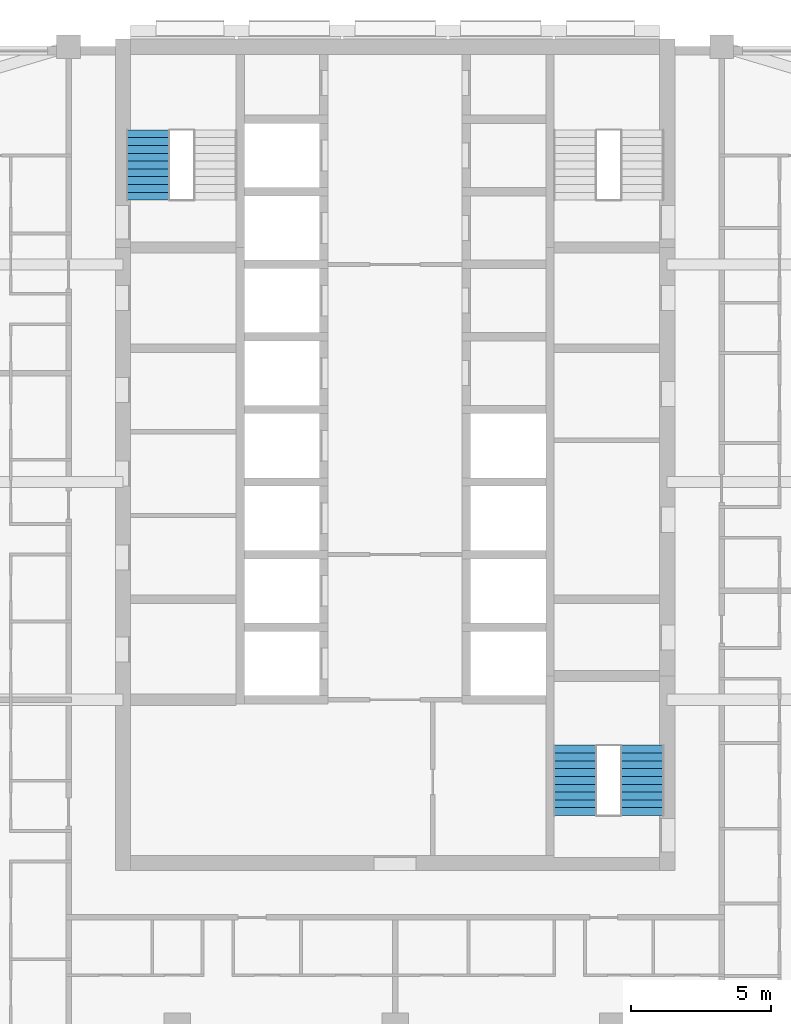
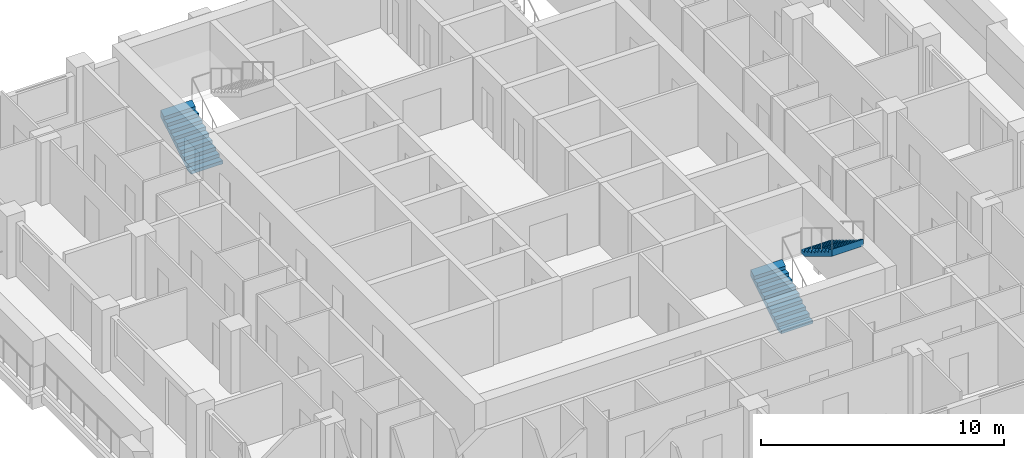
# One storey, part 10 of 13: 3 stair flights, 2 elements without a shape of their own.
"""IFC4 building model written with IfcOpenShell, lengths in metres."""

import ifcopenshell
import ifcopenshell.guid

model = None  # the IFC model being written
_history = None  # IfcOwnerHistory: only IFC2X3 demands one
_inside = {}  # id of a spatial element -> (the spatial element, [elements in it])
_under = {}  # id of a project, library or spatial element -> (it, [spatial elements below it])
_declared = {}  # id of a project -> (the project, [libraries it declares])
_typed = {}  # id of a type object -> (the type object, [elements of that type])
_made_of = {}  # id of a material, layer set ... -> (it, [elements and type objects made of it])


def new_model(schema):
    """Start an empty IFC model of exactly this schema.

    Asked for "IFC4X3", IfcOpenShell would pick the latest addendum, in which some entities
    have other attributes; the version numbers below select the first issue.
    IFC2X3 requires an IfcOwnerHistory on every rooted entity: one is made here for all.
    """
    global model, _history
    if schema == "IFC4X3":
        model = ifcopenshell.file(schema_version=(4, 3, 0, 0))
    else:
        model = ifcopenshell.file(schema=schema)
    _inside.clear()
    _under.clear()
    _declared.clear()
    _typed.clear()
    _made_of.clear()
    _history = None
    if model.schema == "IFC2X3":
        org = make("IfcOrganization", Name="unknown")
        user = make(
            "IfcPersonAndOrganization",
            ThePerson=make("IfcPerson", FamilyName="unknown"),
            TheOrganization=org,
        )
        app = make(
            "IfcApplication",
            ApplicationDeveloper=org,
            Version="unknown",
            ApplicationFullName="unknown",
            ApplicationIdentifier="unknown",
        )
        _history = make(
            "IfcOwnerHistory",
            OwningUser=user,
            OwningApplication=app,
            ChangeAction="ADDED",
            CreationDate=0,
        )
    return model


def make(cls, **values):
    """One entity of the class cls with the attributes given. An attribute that is None is left unset."""
    return model.create_entity(
        cls, **{name: value for name, value in values.items() if value is not None}
    )


def rooted(cls, **values):
    """An entity with a GlobalId (a new one), such as an element, a storey or a relation."""
    return make(cls, GlobalId=ifcopenshell.guid.new(), OwnerHistory=_history, **values)


def si_unit(unit_type, name, prefix=None):
    """IfcSIUnit, for example si_unit("LENGTHUNIT", "METRE", prefix="MILLI")."""
    return make("IfcSIUnit", UnitType=unit_type, Prefix=prefix, Name=name)


def assignment(units):
    """IfcUnitAssignment: the units of a project."""
    return None if units is None else make("IfcUnitAssignment", Units=units)


def point(xyz):
    """IfcCartesianPoint."""
    return None if xyz is None else make("IfcCartesianPoint", Coordinates=xyz)


def direction(xyz):
    """IfcDirection."""
    return None if xyz is None else make("IfcDirection", DirectionRatios=xyz)


def frame(location, z_axis=None, x_axis=None):
    """IfcAxis2Placement3D, a coordinate frame: its origin and axes. An axis left out is left unset."""
    return make(
        "IfcAxis2Placement3D",
        Location=point(location),
        Axis=direction(z_axis),
        RefDirection=direction(x_axis),
    )


def origin():
    """The frame at (0, 0, 0) with its axes left unset."""
    return frame((0.0, 0.0, 0.0))


def place(relative_to, where):
    """IfcLocalPlacement: puts the frame where relative to a parent placement (None: the world)."""
    return make(
        "IfcLocalPlacement", PlacementRelTo=relative_to, RelativePlacement=where
    )


def context(
    kind, dimensions, precision=None, world=None, true_north=None, identifier=None
):
    """IfcGeometricRepresentationContext, for example the 3D "Model" context."""
    return make(
        "IfcGeometricRepresentationContext",
        ContextIdentifier=identifier,
        ContextType=kind,
        CoordinateSpaceDimension=dimensions,
        Precision=precision,
        WorldCoordinateSystem=world,
        TrueNorth=true_north,
    )


def subcontext(parent, identifier, kind, view, scale=None):
    """IfcGeometricRepresentationSubContext, for example "Body" below "Model"."""
    return make(
        "IfcGeometricRepresentationSubContext",
        ContextIdentifier=identifier,
        ContextType=kind,
        ParentContext=parent,
        TargetScale=scale,
        TargetView=view,
    )


def project(units=None, contexts=None):
    """IfcProject with its units and contexts."""
    return rooted(
        "IfcProject",
        Name="project",
        RepresentationContexts=contexts,
        UnitsInContext=assignment(units),
    )


def spatial(cls, under=None, at=None, **own):
    """A site, building, storey or space (cls), placed at a placement, below another one or the project."""
    s = rooted(cls, ObjectPlacement=at, **own)
    if under is not None:
        _under.setdefault(under.id(), (under, []))[1].append(s)
    return s


def point_list(points):
    """IfcCartesianPointList2D or 3D."""
    cls = (
        "IfcCartesianPointList2D" if len(points[0]) == 2 else "IfcCartesianPointList3D"
    )
    return make(cls, CoordList=points)


def triangles(points, corners, closed=None, point_numbers=None):
    """IfcTriangulatedFaceSet: each triangle names its three corners, points numbered from 1."""
    return make(
        "IfcTriangulatedFaceSet",
        Coordinates=point_list(points),
        Closed=closed,
        CoordIndex=corners,
        PnIndex=point_numbers,
    )


def shape(context_of_items, identifier, shape_type, items):
    """IfcShapeRepresentation: the items that make up one representation, for example the "Body"."""
    return make(
        "IfcShapeRepresentation",
        ContextOfItems=context_of_items,
        RepresentationIdentifier=identifier,
        RepresentationType=shape_type,
        Items=items,
    )


def material(Name=None, Category=None):
    """IfcMaterial."""
    return make("IfcMaterial", Name=Name, Category=Category)


def made_of(thing, what):
    """Note that an element or type object is made of a material, layer set ...; save() writes the relation."""
    if what is not None:
        _made_of.setdefault(what.id(), (what, []))[1].append(thing)
    return thing


def type_object(cls, material=None, **own):
    """A type object (cls), such as IfcWallType, which elements share."""
    return made_of(rooted(cls, **own), material)


def element(
    cls,
    number,
    at=None,
    inside=None,
    cuts=None,
    type_object=None,
    material=None,
    context=None,
    identifier="Body",
    shape_type=None,
    held_by="IfcProductDefinitionShape",
    body=None,
    shapes=None,
    **own,
):
    """One element of the class cls, such as IfcWall. Its Tag is "e" and its number.

    at: its placement. inside: the storey or other place that contains it. cuts: it is an
    opening in that element (IfcRelVoidsElement). A single representation is given by context,
    identifier, shape_type and body (its items); several are given by shapes. held_by: the class
    of the entity that holds the representations. save() writes the other relations.
    """
    e = rooted(cls, Tag="e%d" % number, ObjectPlacement=at, **own)
    if body is not None:
        shapes = [shape(context, identifier, shape_type, body)]
    if shapes is not None:
        e.Representation = make(held_by, Representations=shapes)
    if inside is not None:
        _inside.setdefault(inside.id(), (inside, []))[1].append(e)
    if cuts is not None:
        rooted(
            "IfcRelVoidsElement", RelatingBuildingElement=cuts, RelatedOpeningElement=e
        )
    if type_object is not None:
        _typed.setdefault(type_object.id(), (type_object, []))[1].append(e)
    return made_of(e, material)


def aggregate(whole, parts):
    """IfcRelAggregates: a whole, such as a stair, and the parts it consists of."""
    return rooted("IfcRelAggregates", RelatingObject=whole, RelatedObjects=parts)


def save(model, path):
    """Write the relations noted so far, then the file.

    IfcRelAggregates (storeys below a building ...), IfcRelContainedInSpatialStructure (elements
    in a storey), IfcRelDefinesByType, IfcRelAssociatesMaterial and IfcRelDeclares: one each for
    every whole, place, type object, material and project.
    """
    for whole, parts in _under.values():
        aggregate(whole, parts)
    for where, things in _inside.values():
        rooted(
            "IfcRelContainedInSpatialStructure",
            RelatedElements=things,
            RelatingStructure=where,
        )
    for kind, things in _typed.values():
        rooted("IfcRelDefinesByType", RelatedObjects=things, RelatingType=kind)
    for what, things in _made_of.values():
        rooted("IfcRelAssociatesMaterial", RelatedObjects=things, RelatingMaterial=what)
    for by, libraries in _declared.values():
        rooted("IfcRelDeclares", RelatingContext=by, RelatedDefinitions=libraries)
    model.write(path)


model = new_model("IFC4")

# Units and contexts
model_context = context("Model", 3, precision=1e-05, world=origin(), true_north=direction((0.0, 1.0)))
body_context = subcontext(model_context, "Body", "Model", "MODEL_VIEW")
ifc_project = project(units=[si_unit("LENGTHUNIT", "METRE"), si_unit("AREAUNIT", "SQUARE_METRE"), si_unit("VOLUMEUNIT", "CUBIC_METRE"), si_unit("PLANEANGLEUNIT", "RADIAN"), si_unit("MASSUNIT", "GRAM", prefix="KILO")], contexts=[model_context])

# Site, building, storey
site_placement = place(None, origin())
site = spatial("IfcSite", under=ifc_project, at=site_placement, CompositionType="ELEMENT")
building_placement = place(site_placement, origin())
building = spatial("IfcBuilding", under=site, at=building_placement, Name="Ludao Terraces", CompositionType="ELEMENT")
storey_placement = place(building_placement, frame((0.0, 0.0, 127.10009765625)))
storey = spatial("IfcBuildingStorey", under=building, at=storey_placement, Name="L34", CompositionType="ELEMENT", Elevation=127.10009765625)

# Stair, stair flight
ifc_material = material(Name="Concrete C40", Category="concrete")
stair_type = type_object("IfcStairType", Name="INT Stair", PredefinedType="HALF_TURN_STAIR", material=ifc_material)
stair_1_placement = place(storey_placement, origin())
stair_1 = element("IfcStair", 1, at=stair_1_placement, inside=storey, type_object=stair_type, Name="EXIT STAIR 1", PredefinedType="HALF_TURN_STAIR")
stair_flight_type = type_object("IfcStairFlightType", Name="INT Stair flight", PredefinedType="STRAIGHT", material=ifc_material)
stair_flight_1_placement = place(storey_placement, frame((76.14990234375, 79.0, 0.0), z_axis=(0.0, 0.0, 1.0), x_axis=(0.0, 1.0, 0.0)))
stair_flight_1 = element("IfcStairFlight", 2, at=stair_flight_1_placement, type_object=stair_flight_type, Name="ST1 flight 1", NumberOfRisers=10, NumberOfTreads=9, PredefinedType="STRAIGHT", RiserHeight=0.17, TreadLength=0.28, context=body_context, shape_type="Tessellation", body=[
    triangles([(0.0, -0.75, 0.0), (0.0, -0.5, 0.0), (0.0, -0.25, 0.0), (0.0, 0.0, 0.0), (0.0, 0.25, 0.0), (0.0, 0.5, 0.0), (0.0, 0.75, 0.0), (0.0, -0.75, 0.169921875), (0.0, -0.5, 0.169921875), (0.0, -0.25, 0.169921875), (0.0, 0.0, 0.169921875), (0.0, 0.25, 0.169921875), (0.0, 0.5, 0.169921875), (0.0, 0.75, 0.169921875), (0.280029296875, -0.75, 0.169921875), (0.280029296875, -0.5, 0.169921875), (0.280029296875, -0.25, 0.169921875), (0.280029296875, 0.0, 0.169921875), (0.280029296875, 0.25, 0.169921875), (0.280029296875, 0.5, 0.169921875), (0.280029296875, 0.75, 0.169921875), (0.280029296875, -0.75, 0.340087890625), (0.280029296875, -0.5, 0.340087890625), (0.280029296875, -0.25, 0.340087890625), (0.280029296875, 0.0, 0.340087890625), (0.280029296875, 0.25, 0.340087890625), (0.280029296875, 0.5, 0.340087890625), (0.280029296875, 0.75, 0.340087890625), (0.56005859375, -0.75, 0.340087890625), (0.56005859375, -0.5, 0.340087890625), (0.56005859375, -0.25, 0.340087890625), (0.56005859375, 0.0, 0.340087890625), (0.56005859375, 0.25, 0.340087890625), (0.56005859375, 0.5, 0.340087890625), (0.56005859375, 0.75, 0.340087890625), (0.56005859375, -0.75, 0.510009765625), (0.56005859375, -0.5, 0.510009765625), (0.56005859375, -0.25, 0.510009765625), (0.56005859375, 0.0, 0.510009765625), (0.56005859375, 0.25, 0.510009765625), (0.56005859375, 0.5, 0.510009765625), (0.56005859375, 0.75, 0.510009765625), (0.840087890625, -0.75, 0.510009765625), (0.840087890625, -0.5, 0.510009765625), (0.840087890625, -0.25, 0.510009765625), (0.840087890625, 0.0, 0.510009765625), (0.840087890625, 0.25, 0.510009765625), (0.840087890625, 0.5, 0.510009765625), (0.840087890625, 0.75, 0.510009765625), (0.840087890625, -0.75, 0.679931640625), (0.840087890625, -0.5, 0.679931640625), (0.840087890625, -0.25, 0.679931640625), (0.840087890625, 0.0, 0.679931640625), (0.840087890625, 0.25, 0.679931640625), (0.840087890625, 0.5, 0.679931640625), (0.840087890625, 0.75, 0.679931640625), (1.1201171875, -0.75, 0.679931640625), (1.1201171875, -0.5, 0.679931640625), (1.1201171875, -0.25, 0.679931640625), (1.1201171875, 0.0, 0.679931640625), (1.1201171875, 0.25, 0.679931640625), (1.1201171875, 0.5, 0.679931640625), (1.1201171875, 0.75, 0.679931640625), (1.1201171875, -0.75, 0.85009765625), (1.1201171875, -0.5, 0.85009765625), (1.1201171875, -0.25, 0.85009765625), (1.1201171875, 0.0, 0.85009765625), (1.1201171875, 0.25, 0.85009765625), (1.1201171875, 0.5, 0.85009765625), (1.1201171875, 0.75, 0.85009765625), (1.39990234375, -0.75, 0.85009765625), (1.39990234375, -0.5, 0.85009765625), (1.39990234375, -0.25, 0.85009765625), (1.39990234375, 0.0, 0.85009765625), (1.39990234375, 0.25, 0.85009765625), (1.39990234375, 0.5, 0.85009765625), (1.39990234375, 0.75, 0.85009765625), (1.39990234375, -0.75, 1.02001953125), (1.39990234375, -0.5, 1.02001953125), (1.39990234375, -0.25, 1.02001953125), (1.39990234375, 0.0, 1.02001953125), (1.39990234375, 0.25, 1.02001953125), (1.39990234375, 0.5, 1.02001953125), (1.39990234375, 0.75, 1.02001953125), (1.679931640625, -0.75, 1.02001953125), (1.679931640625, -0.5, 1.02001953125), (1.679931640625, -0.25, 1.02001953125), (1.679931640625, 0.0, 1.02001953125), (1.679931640625, 0.25, 1.02001953125), (1.679931640625, 0.5, 1.02001953125), (1.679931640625, 0.75, 1.02001953125), (1.679931640625, -0.75, 1.18994140625), (1.679931640625, -0.5, 1.18994140625), (1.679931640625, -0.25, 1.18994140625), (1.679931640625, 0.0, 1.18994140625), (1.679931640625, 0.25, 1.18994140625), (1.679931640625, 0.5, 1.18994140625), (1.679931640625, 0.75, 1.18994140625), (1.9599609375, -0.75, 1.18994140625), (1.9599609375, -0.5, 1.18994140625), (1.9599609375, -0.25, 1.18994140625), (1.9599609375, 0.0, 1.18994140625), (1.9599609375, 0.25, 1.18994140625), (1.9599609375, 0.5, 1.18994140625), (1.9599609375, 0.75, 1.18994140625), (1.9599609375, -0.75, 1.360107421875), (1.9599609375, -0.5, 1.360107421875), (1.9599609375, -0.25, 1.360107421875), (1.9599609375, 0.0, 1.360107421875), (1.9599609375, 0.25, 1.360107421875), (1.9599609375, 0.5, 1.360107421875), (1.9599609375, 0.75, 1.360107421875), (2.239990234375, -0.75, 1.360107421875), (2.239990234375, -0.5, 1.360107421875), (2.239990234375, -0.25, 1.360107421875), (2.239990234375, 0.0, 1.360107421875), (2.239990234375, 0.25, 1.360107421875), (2.239990234375, 0.5, 1.360107421875), (2.239990234375, 0.75, 1.360107421875), (2.239990234375, -0.75, 1.530029296875), (2.239990234375, -0.5, 1.530029296875), (2.239990234375, -0.25, 1.530029296875), (2.239990234375, 0.0, 1.530029296875), (2.239990234375, 0.25, 1.530029296875), (2.239990234375, 0.5, 1.530029296875), (2.239990234375, 0.75, 1.530029296875), (2.52001953125, -0.75, 1.699951171875), (2.52001953125, -0.5, 1.699951171875), (2.52001953125, -0.25, 1.699951171875), (2.52001953125, 0.0, 1.699951171875), (2.52001953125, 0.25, 1.699951171875), (2.52001953125, 0.5, 1.699951171875), (2.52001953125, 0.75, 1.699951171875), (2.52001953125, -0.75, 1.354736328125), (2.52001953125, -0.5, 1.354736328125), (2.52001953125, -0.25, 1.354736328125), (2.52001953125, 0.0, 1.354736328125), (2.52001953125, 0.25, 1.354736328125), (2.52001953125, 0.5, 1.354736328125), (2.52001953125, 0.75, 1.354736328125), (0.288818359375, -0.75, 0.0), (0.288818359375, -0.5, 0.0), (0.288818359375, -0.25, 0.0), (0.288818359375, 0.0, 0.0), (0.288818359375, 0.25, 0.0), (0.288818359375, 0.5, 0.0), (0.288818359375, 0.75, 0.0)], [[1, 141, 134], [7, 140, 147], [134, 127, 120], [140, 126, 133], [134, 120, 113], [140, 119, 126], [134, 113, 106], [140, 112, 119], [134, 106, 99], [140, 105, 112], [99, 92, 85], [105, 91, 98], [134, 99, 85], [140, 91, 105], [85, 78, 71], [91, 77, 84], [134, 85, 71], [140, 77, 91], [71, 64, 57], [77, 63, 70], [134, 71, 57], [140, 63, 77], [57, 50, 43], [63, 49, 56], [134, 57, 43], [140, 49, 63], [43, 36, 29], [49, 35, 42], [134, 43, 29], [140, 35, 49], [29, 22, 15], [35, 21, 28], [134, 29, 15], [140, 21, 35], [1, 134, 15], [7, 21, 140], [15, 8, 1], [21, 7, 14], [1, 9, 2], [1, 8, 9], [2, 10, 3], [2, 9, 10], [3, 11, 4], [3, 10, 11], [4, 12, 5], [4, 11, 12], [5, 13, 6], [5, 12, 13], [6, 14, 7], [6, 13, 14], [8, 16, 9], [8, 15, 16], [9, 17, 10], [9, 16, 17], [10, 18, 11], [10, 17, 18], [11, 19, 12], [11, 18, 19], [12, 20, 13], [12, 19, 20], [13, 21, 14], [13, 20, 21], [15, 23, 16], [15, 22, 23], [16, 24, 17], [16, 23, 24], [17, 25, 18], [17, 24, 25], [18, 26, 19], [18, 25, 26], [19, 27, 20], [19, 26, 27], [20, 28, 21], [20, 27, 28], [22, 30, 23], [22, 29, 30], [23, 31, 24], [23, 30, 31], [24, 32, 25], [24, 31, 32], [25, 33, 26], [25, 32, 33], [26, 34, 27], [26, 33, 34], [27, 35, 28], [27, 34, 35], [29, 37, 30], [29, 36, 37], [30, 38, 31], [30, 37, 38], [31, 39, 32], [31, 38, 39], [32, 40, 33], [32, 39, 40], [33, 41, 34], [33, 40, 41], [34, 42, 35], [34, 41, 42], [36, 44, 37], [36, 43, 44], [37, 45, 38], [37, 44, 45], [38, 46, 39], [38, 45, 46], [39, 47, 40], [39, 46, 47], [40, 48, 41], [40, 47, 48], [41, 49, 42], [41, 48, 49], [43, 51, 44], [43, 50, 51], [44, 52, 45], [44, 51, 52], [45, 53, 46], [45, 52, 53], [46, 54, 47], [46, 53, 54], [47, 55, 48], [47, 54, 55], [48, 56, 49], [48, 55, 56], [50, 58, 51], [50, 57, 58], [51, 59, 52], [51, 58, 59], [52, 60, 53], [52, 59, 60], [53, 61, 54], [53, 60, 61], [54, 62, 55], [54, 61, 62], [55, 63, 56], [55, 62, 63], [57, 65, 58], [57, 64, 65], [58, 66, 59], [58, 65, 66], [59, 67, 60], [59, 66, 67], [60, 68, 61], [60, 67, 68], [61, 69, 62], [61, 68, 69], [62, 70, 63], [62, 69, 70], [64, 72, 65], [64, 71, 72], [65, 73, 66], [65, 72, 73], [66, 74, 67], [66, 73, 74], [67, 75, 68], [67, 74, 75], [68, 76, 69], [68, 75, 76], [69, 77, 70], [69, 76, 77], [71, 79, 72], [71, 78, 79], [72, 80, 73], [72, 79, 80], [73, 81, 74], [73, 80, 81], [74, 82, 75], [74, 81, 82], [75, 83, 76], [75, 82, 83], [76, 84, 77], [76, 83, 84], [78, 86, 79], [78, 85, 86], [79, 87, 80], [79, 86, 87], [80, 88, 81], [80, 87, 88], [81, 89, 82], [81, 88, 89], [82, 90, 83], [82, 89, 90], [83, 91, 84], [83, 90, 91], [85, 93, 86], [85, 92, 93], [86, 94, 87], [86, 93, 94], [87, 95, 88], [87, 94, 95], [88, 96, 89], [88, 95, 96], [89, 97, 90], [89, 96, 97], [90, 98, 91], [90, 97, 98], [92, 100, 93], [92, 99, 100], [93, 101, 94], [93, 100, 101], [94, 102, 95], [94, 101, 102], [95, 103, 96], [95, 102, 103], [96, 104, 97], [96, 103, 104], [97, 105, 98], [97, 104, 105], [99, 107, 100], [99, 106, 107], [100, 108, 101], [100, 107, 108], [101, 109, 102], [101, 108, 109], [102, 110, 103], [102, 109, 110], [103, 111, 104], [103, 110, 111], [104, 112, 105], [104, 111, 112], [106, 114, 107], [106, 113, 114], [107, 115, 108], [107, 114, 115], [108, 116, 109], [108, 115, 116], [109, 117, 110], [109, 116, 117], [110, 118, 111], [110, 117, 118], [111, 119, 112], [111, 118, 119], [113, 121, 114], [113, 120, 121], [114, 122, 115], [114, 121, 122], [115, 123, 116], [115, 122, 123], [116, 124, 117], [116, 123, 124], [117, 125, 118], [117, 124, 125], [118, 126, 119], [118, 125, 126], [120, 128, 121], [120, 127, 128], [121, 129, 122], [121, 128, 129], [122, 130, 123], [122, 129, 130], [123, 131, 124], [123, 130, 131], [124, 132, 125], [124, 131, 132], [125, 133, 126], [125, 132, 133], [127, 135, 128], [127, 134, 135], [128, 136, 129], [128, 135, 136], [129, 137, 130], [129, 136, 137], [130, 138, 131], [130, 137, 138], [131, 139, 132], [131, 138, 139], [132, 140, 133], [132, 139, 140], [134, 142, 135], [134, 141, 142], [135, 143, 136], [135, 142, 143], [136, 144, 137], [136, 143, 144], [137, 145, 138], [137, 144, 145], [138, 146, 139], [138, 145, 146], [139, 147, 140], [139, 146, 147], [141, 2, 142], [141, 1, 2], [142, 3, 143], [142, 2, 3], [143, 4, 144], [143, 3, 4], [144, 5, 145], [144, 4, 5], [145, 6, 146], [145, 5, 6], [146, 7, 147], [146, 6, 7]], closed=True),
])
aggregate(stair_1, [stair_flight_1])

# Stair, stair flights
stair_2_placement = place(storey_placement, origin())
stair_2 = element("IfcStair", 3, at=stair_2_placement, inside=storey, type_object=stair_type, Name="EXIT STAIR 3", PredefinedType="HALF_TURN_STAIR")
stair_flight_2_placement = place(storey_placement, frame((91.449951171875, 56.949951171875, 0.0), z_axis=(0.0, 0.0, 1.0), x_axis=(0.0, 1.0, 0.0)))
stair_flight_2 = element("IfcStairFlight", 4, at=stair_flight_2_placement, type_object=stair_flight_type, Name="ST3 flight 1", NumberOfRisers=10, NumberOfTreads=9, PredefinedType="STRAIGHT", RiserHeight=0.17, TreadLength=0.28, context=body_context, shape_type="Tessellation", body=[
    triangles([(0.0, -0.75, 0.0), (0.0, -0.5, 0.0), (0.0, -0.25, 0.0), (0.0, 0.0, 0.0), (0.0, 0.25, 0.0), (0.0, 0.5, 0.0), (0.0, 0.75, 0.0), (0.0, -0.75, 0.169921875), (0.0, -0.5, 0.169921875), (0.0, -0.25, 0.169921875), (0.0, 0.0, 0.169921875), (0.0, 0.25, 0.169921875), (0.0, 0.5, 0.169921875), (0.0, 0.75, 0.169921875), (0.280029296875, -0.75, 0.169921875), (0.280029296875, -0.5, 0.169921875), (0.280029296875, -0.25, 0.169921875), (0.280029296875, 0.0, 0.169921875), (0.280029296875, 0.25, 0.169921875), (0.280029296875, 0.5, 0.169921875), (0.280029296875, 0.75, 0.169921875), (0.280029296875, -0.75, 0.340087890625), (0.280029296875, -0.5, 0.340087890625), (0.280029296875, -0.25, 0.340087890625), (0.280029296875, 0.0, 0.340087890625), (0.280029296875, 0.25, 0.340087890625), (0.280029296875, 0.5, 0.340087890625), (0.280029296875, 0.75, 0.340087890625), (0.56005859375, -0.75, 0.340087890625), (0.56005859375, -0.5, 0.340087890625), (0.56005859375, -0.25, 0.340087890625), (0.56005859375, 0.0, 0.340087890625), (0.56005859375, 0.25, 0.340087890625), (0.56005859375, 0.5, 0.340087890625), (0.56005859375, 0.75, 0.340087890625), (0.56005859375, -0.75, 0.510009765625), (0.56005859375, -0.5, 0.510009765625), (0.56005859375, -0.25, 0.510009765625), (0.56005859375, 0.0, 0.510009765625), (0.56005859375, 0.25, 0.510009765625), (0.56005859375, 0.5, 0.510009765625), (0.56005859375, 0.75, 0.510009765625), (0.840087890625, -0.75, 0.510009765625), (0.840087890625, -0.5, 0.510009765625), (0.840087890625, -0.25, 0.510009765625), (0.840087890625, 0.0, 0.510009765625), (0.840087890625, 0.25, 0.510009765625), (0.840087890625, 0.5, 0.510009765625), (0.840087890625, 0.75, 0.510009765625), (0.840087890625, -0.75, 0.679931640625), (0.840087890625, -0.5, 0.679931640625), (0.840087890625, -0.25, 0.679931640625), (0.840087890625, 0.0, 0.679931640625), (0.840087890625, 0.25, 0.679931640625), (0.840087890625, 0.5, 0.679931640625), (0.840087890625, 0.75, 0.679931640625), (1.1201171875, -0.75, 0.679931640625), (1.1201171875, -0.5, 0.679931640625), (1.1201171875, -0.25, 0.679931640625), (1.1201171875, 0.0, 0.679931640625), (1.1201171875, 0.25, 0.679931640625), (1.1201171875, 0.5, 0.679931640625), (1.1201171875, 0.75, 0.679931640625), (1.1201171875, -0.75, 0.85009765625), (1.1201171875, -0.5, 0.85009765625), (1.1201171875, -0.25, 0.85009765625), (1.1201171875, 0.0, 0.85009765625), (1.1201171875, 0.25, 0.85009765625), (1.1201171875, 0.5, 0.85009765625), (1.1201171875, 0.75, 0.85009765625), (1.39990234375, -0.75, 0.85009765625), (1.39990234375, -0.5, 0.85009765625), (1.39990234375, -0.25, 0.85009765625), (1.39990234375, 0.0, 0.85009765625), (1.39990234375, 0.25, 0.85009765625), (1.39990234375, 0.5, 0.85009765625), (1.39990234375, 0.75, 0.85009765625), (1.39990234375, -0.75, 1.02001953125), (1.39990234375, -0.5, 1.02001953125), (1.39990234375, -0.25, 1.02001953125), (1.39990234375, 0.0, 1.02001953125), (1.39990234375, 0.25, 1.02001953125), (1.39990234375, 0.5, 1.02001953125), (1.39990234375, 0.75, 1.02001953125), (1.679931640625, -0.75, 1.02001953125), (1.679931640625, -0.5, 1.02001953125), (1.679931640625, -0.25, 1.02001953125), (1.679931640625, 0.0, 1.02001953125), (1.679931640625, 0.25, 1.02001953125), (1.679931640625, 0.5, 1.02001953125), (1.679931640625, 0.75, 1.02001953125), (1.679931640625, -0.75, 1.18994140625), (1.679931640625, -0.5, 1.18994140625), (1.679931640625, -0.25, 1.18994140625), (1.679931640625, 0.0, 1.18994140625), (1.679931640625, 0.25, 1.18994140625), (1.679931640625, 0.5, 1.18994140625), (1.679931640625, 0.75, 1.18994140625), (1.9599609375, -0.75, 1.18994140625), (1.9599609375, -0.5, 1.18994140625), (1.9599609375, -0.25, 1.18994140625), (1.9599609375, 0.0, 1.18994140625), (1.9599609375, 0.25, 1.18994140625), (1.9599609375, 0.5, 1.18994140625), (1.9599609375, 0.75, 1.18994140625), (1.9599609375, -0.75, 1.360107421875), (1.9599609375, -0.5, 1.360107421875), (1.9599609375, -0.25, 1.360107421875), (1.9599609375, 0.0, 1.360107421875), (1.9599609375, 0.25, 1.360107421875), (1.9599609375, 0.5, 1.360107421875), (1.9599609375, 0.75, 1.360107421875), (2.239990234375, -0.75, 1.360107421875), (2.239990234375, -0.5, 1.360107421875), (2.239990234375, -0.25, 1.360107421875), (2.239990234375, 0.0, 1.360107421875), (2.239990234375, 0.25, 1.360107421875), (2.239990234375, 0.5, 1.360107421875), (2.239990234375, 0.75, 1.360107421875), (2.239990234375, -0.75, 1.530029296875), (2.239990234375, -0.5, 1.530029296875), (2.239990234375, -0.25, 1.530029296875), (2.239990234375, 0.0, 1.530029296875), (2.239990234375, 0.25, 1.530029296875), (2.239990234375, 0.5, 1.530029296875), (2.239990234375, 0.75, 1.530029296875), (2.52001953125, -0.75, 1.699951171875), (2.52001953125, -0.5, 1.699951171875), (2.52001953125, -0.25, 1.699951171875), (2.52001953125, 0.0, 1.699951171875), (2.52001953125, 0.25, 1.699951171875), (2.52001953125, 0.5, 1.699951171875), (2.52001953125, 0.75, 1.699951171875), (2.52001953125, -0.75, 1.354736328125), (2.52001953125, -0.5, 1.354736328125), (2.52001953125, -0.25, 1.354736328125), (2.52001953125, 0.0, 1.354736328125), (2.52001953125, 0.25, 1.354736328125), (2.52001953125, 0.5, 1.354736328125), (2.52001953125, 0.75, 1.354736328125), (0.288818359375, -0.75, 0.0), (0.288818359375, -0.5, 0.0), (0.288818359375, -0.25, 0.0), (0.288818359375, 0.0, 0.0), (0.288818359375, 0.25, 0.0), (0.288818359375, 0.5, 0.0), (0.288818359375, 0.75, 0.0)], [[1, 141, 134], [7, 140, 147], [134, 127, 120], [140, 126, 133], [134, 120, 113], [140, 119, 126], [134, 113, 106], [140, 112, 119], [134, 106, 99], [140, 105, 112], [99, 92, 85], [105, 91, 98], [134, 99, 85], [140, 91, 105], [85, 78, 71], [91, 77, 84], [134, 85, 71], [140, 77, 91], [71, 64, 57], [77, 63, 70], [134, 71, 57], [140, 63, 77], [57, 50, 43], [63, 49, 56], [134, 57, 43], [140, 49, 63], [43, 36, 29], [49, 35, 42], [134, 43, 29], [140, 35, 49], [29, 22, 15], [35, 21, 28], [134, 29, 15], [140, 21, 35], [1, 134, 15], [7, 21, 140], [15, 8, 1], [21, 7, 14], [1, 9, 2], [1, 8, 9], [2, 10, 3], [2, 9, 10], [3, 11, 4], [3, 10, 11], [4, 12, 5], [4, 11, 12], [5, 13, 6], [5, 12, 13], [6, 14, 7], [6, 13, 14], [8, 16, 9], [8, 15, 16], [9, 17, 10], [9, 16, 17], [10, 18, 11], [10, 17, 18], [11, 19, 12], [11, 18, 19], [12, 20, 13], [12, 19, 20], [13, 21, 14], [13, 20, 21], [15, 23, 16], [15, 22, 23], [16, 24, 17], [16, 23, 24], [17, 25, 18], [17, 24, 25], [18, 26, 19], [18, 25, 26], [19, 27, 20], [19, 26, 27], [20, 28, 21], [20, 27, 28], [22, 30, 23], [22, 29, 30], [23, 31, 24], [23, 30, 31], [24, 32, 25], [24, 31, 32], [25, 33, 26], [25, 32, 33], [26, 34, 27], [26, 33, 34], [27, 35, 28], [27, 34, 35], [29, 37, 30], [29, 36, 37], [30, 38, 31], [30, 37, 38], [31, 39, 32], [31, 38, 39], [32, 40, 33], [32, 39, 40], [33, 41, 34], [33, 40, 41], [34, 42, 35], [34, 41, 42], [36, 44, 37], [36, 43, 44], [37, 45, 38], [37, 44, 45], [38, 46, 39], [38, 45, 46], [39, 47, 40], [39, 46, 47], [40, 48, 41], [40, 47, 48], [41, 49, 42], [41, 48, 49], [43, 51, 44], [43, 50, 51], [44, 52, 45], [44, 51, 52], [45, 53, 46], [45, 52, 53], [46, 54, 47], [46, 53, 54], [47, 55, 48], [47, 54, 55], [48, 56, 49], [48, 55, 56], [50, 58, 51], [50, 57, 58], [51, 59, 52], [51, 58, 59], [52, 60, 53], [52, 59, 60], [53, 61, 54], [53, 60, 61], [54, 62, 55], [54, 61, 62], [55, 63, 56], [55, 62, 63], [57, 65, 58], [57, 64, 65], [58, 66, 59], [58, 65, 66], [59, 67, 60], [59, 66, 67], [60, 68, 61], [60, 67, 68], [61, 69, 62], [61, 68, 69], [62, 70, 63], [62, 69, 70], [64, 72, 65], [64, 71, 72], [65, 73, 66], [65, 72, 73], [66, 74, 67], [66, 73, 74], [67, 75, 68], [67, 74, 75], [68, 76, 69], [68, 75, 76], [69, 77, 70], [69, 76, 77], [71, 79, 72], [71, 78, 79], [72, 80, 73], [72, 79, 80], [73, 81, 74], [73, 80, 81], [74, 82, 75], [74, 81, 82], [75, 83, 76], [75, 82, 83], [76, 84, 77], [76, 83, 84], [78, 86, 79], [78, 85, 86], [79, 87, 80], [79, 86, 87], [80, 88, 81], [80, 87, 88], [81, 89, 82], [81, 88, 89], [82, 90, 83], [82, 89, 90], [83, 91, 84], [83, 90, 91], [85, 93, 86], [85, 92, 93], [86, 94, 87], [86, 93, 94], [87, 95, 88], [87, 94, 95], [88, 96, 89], [88, 95, 96], [89, 97, 90], [89, 96, 97], [90, 98, 91], [90, 97, 98], [92, 100, 93], [92, 99, 100], [93, 101, 94], [93, 100, 101], [94, 102, 95], [94, 101, 102], [95, 103, 96], [95, 102, 103], [96, 104, 97], [96, 103, 104], [97, 105, 98], [97, 104, 105], [99, 107, 100], [99, 106, 107], [100, 108, 101], [100, 107, 108], [101, 109, 102], [101, 108, 109], [102, 110, 103], [102, 109, 110], [103, 111, 104], [103, 110, 111], [104, 112, 105], [104, 111, 112], [106, 114, 107], [106, 113, 114], [107, 115, 108], [107, 114, 115], [108, 116, 109], [108, 115, 116], [109, 117, 110], [109, 116, 117], [110, 118, 111], [110, 117, 118], [111, 119, 112], [111, 118, 119], [113, 121, 114], [113, 120, 121], [114, 122, 115], [114, 121, 122], [115, 123, 116], [115, 122, 123], [116, 124, 117], [116, 123, 124], [117, 125, 118], [117, 124, 125], [118, 126, 119], [118, 125, 126], [120, 128, 121], [120, 127, 128], [121, 129, 122], [121, 128, 129], [122, 130, 123], [122, 129, 130], [123, 131, 124], [123, 130, 131], [124, 132, 125], [124, 131, 132], [125, 133, 126], [125, 132, 133], [127, 135, 128], [127, 134, 135], [128, 136, 129], [128, 135, 136], [129, 137, 130], [129, 136, 137], [130, 138, 131], [130, 137, 138], [131, 139, 132], [131, 138, 139], [132, 140, 133], [132, 139, 140], [134, 142, 135], [134, 141, 142], [135, 143, 136], [135, 142, 143], [136, 144, 137], [136, 143, 144], [137, 145, 138], [137, 144, 145], [138, 146, 139], [138, 145, 146], [139, 147, 140], [139, 146, 147], [141, 2, 142], [141, 1, 2], [142, 3, 143], [142, 2, 3], [143, 4, 144], [143, 3, 4], [144, 5, 145], [144, 4, 5], [145, 6, 146], [145, 5, 6], [146, 7, 147], [146, 6, 7]], closed=True),
])
stair_flight_3_placement = place(storey_placement, frame((93.85009765625, 59.469970703125, 1.699951171875), z_axis=(0.0, 0.0, 1.0), x_axis=(0.0, -1.0, 0.0)))
stair_flight_3 = element("IfcStairFlight", 5, at=stair_flight_3_placement, type_object=stair_flight_type, Name="ST3 flight 2", NumberOfRisers=10, NumberOfTreads=9, PredefinedType="STRAIGHT", RiserHeight=0.17, TreadLength=0.28, context=body_context, shape_type="Tessellation", body=[
    triangles([(0.0, -0.75, 0.0), (0.0, -0.5, 0.0), (0.0, -0.25, 0.0), (0.0, 0.0, 0.0), (0.0, 0.25, 0.0), (0.0, 0.5, 0.0), (0.0, 0.75, 0.0), (0.0, -0.75, 0.169921875), (0.0, -0.5, 0.169921875), (0.0, -0.25, 0.169921875), (0.0, 0.0, 0.169921875), (0.0, 0.25, 0.169921875), (0.0, 0.5, 0.169921875), (0.0, 0.75, 0.169921875), (0.280029296875, -0.75, 0.169921875), (0.280029296875, -0.5, 0.169921875), (0.280029296875, -0.25, 0.169921875), (0.280029296875, 0.0, 0.169921875), (0.280029296875, 0.25, 0.169921875), (0.280029296875, 0.5, 0.169921875), (0.280029296875, 0.75, 0.169921875), (0.280029296875, -0.75, 0.340087890625), (0.280029296875, -0.5, 0.340087890625), (0.280029296875, -0.25, 0.340087890625), (0.280029296875, 0.0, 0.340087890625), (0.280029296875, 0.25, 0.340087890625), (0.280029296875, 0.5, 0.340087890625), (0.280029296875, 0.75, 0.340087890625), (0.56005859375, -0.75, 0.340087890625), (0.56005859375, -0.5, 0.340087890625), (0.56005859375, -0.25, 0.340087890625), (0.56005859375, 0.0, 0.340087890625), (0.56005859375, 0.25, 0.340087890625), (0.56005859375, 0.5, 0.340087890625), (0.56005859375, 0.75, 0.340087890625), (0.56005859375, -0.75, 0.510009765625), (0.56005859375, -0.5, 0.510009765625), (0.56005859375, -0.25, 0.510009765625), (0.56005859375, 0.0, 0.510009765625), (0.56005859375, 0.25, 0.510009765625), (0.56005859375, 0.5, 0.510009765625), (0.56005859375, 0.75, 0.510009765625), (0.840087890625, -0.75, 0.510009765625), (0.840087890625, -0.5, 0.510009765625), (0.840087890625, -0.25, 0.510009765625), (0.840087890625, 0.0, 0.510009765625), (0.840087890625, 0.25, 0.510009765625), (0.840087890625, 0.5, 0.510009765625), (0.840087890625, 0.75, 0.510009765625), (0.840087890625, -0.75, 0.679931640625), (0.840087890625, -0.5, 0.679931640625), (0.840087890625, -0.25, 0.679931640625), (0.840087890625, 0.0, 0.679931640625), (0.840087890625, 0.25, 0.679931640625), (0.840087890625, 0.5, 0.679931640625), (0.840087890625, 0.75, 0.679931640625), (1.1201171875, -0.75, 0.679931640625), (1.1201171875, -0.5, 0.679931640625), (1.1201171875, -0.25, 0.679931640625), (1.1201171875, 0.0, 0.679931640625), (1.1201171875, 0.25, 0.679931640625), (1.1201171875, 0.5, 0.679931640625), (1.1201171875, 0.75, 0.679931640625), (1.1201171875, -0.75, 0.85009765625), (1.1201171875, -0.5, 0.85009765625), (1.1201171875, -0.25, 0.85009765625), (1.1201171875, 0.0, 0.85009765625), (1.1201171875, 0.25, 0.85009765625), (1.1201171875, 0.5, 0.85009765625), (1.1201171875, 0.75, 0.85009765625), (1.39990234375, -0.75, 0.85009765625), (1.39990234375, -0.5, 0.85009765625), (1.39990234375, -0.25, 0.85009765625), (1.39990234375, 0.0, 0.85009765625), (1.39990234375, 0.25, 0.85009765625), (1.39990234375, 0.5, 0.85009765625), (1.39990234375, 0.75, 0.85009765625), (1.39990234375, -0.75, 1.02001953125), (1.39990234375, -0.5, 1.02001953125), (1.39990234375, -0.25, 1.02001953125), (1.39990234375, 0.0, 1.02001953125), (1.39990234375, 0.25, 1.02001953125), (1.39990234375, 0.5, 1.02001953125), (1.39990234375, 0.75, 1.02001953125), (1.679931640625, -0.75, 1.02001953125), (1.679931640625, -0.5, 1.02001953125), (1.679931640625, -0.25, 1.02001953125), (1.679931640625, 0.0, 1.02001953125), (1.679931640625, 0.25, 1.02001953125), (1.679931640625, 0.5, 1.02001953125), (1.679931640625, 0.75, 1.02001953125), (1.679931640625, -0.75, 1.18994140625), (1.679931640625, -0.5, 1.18994140625), (1.679931640625, -0.25, 1.18994140625), (1.679931640625, 0.0, 1.18994140625), (1.679931640625, 0.25, 1.18994140625), (1.679931640625, 0.5, 1.18994140625), (1.679931640625, 0.75, 1.18994140625), (1.9599609375, -0.75, 1.18994140625), (1.9599609375, -0.5, 1.18994140625), (1.9599609375, -0.25, 1.18994140625), (1.9599609375, 0.0, 1.18994140625), (1.9599609375, 0.25, 1.18994140625), (1.9599609375, 0.5, 1.18994140625), (1.9599609375, 0.75, 1.18994140625), (1.9599609375, -0.75, 1.360107421875), (1.9599609375, -0.5, 1.360107421875), (1.9599609375, -0.25, 1.360107421875), (1.9599609375, 0.0, 1.360107421875), (1.9599609375, 0.25, 1.360107421875), (1.9599609375, 0.5, 1.360107421875), (1.9599609375, 0.75, 1.360107421875), (2.239990234375, -0.75, 1.360107421875), (2.239990234375, -0.5, 1.360107421875), (2.239990234375, -0.25, 1.360107421875), (2.239990234375, 0.0, 1.360107421875), (2.239990234375, 0.25, 1.360107421875), (2.239990234375, 0.5, 1.360107421875), (2.239990234375, 0.75, 1.360107421875), (2.239990234375, -0.75, 1.530029296875), (2.239990234375, -0.5, 1.530029296875), (2.239990234375, -0.25, 1.530029296875), (2.239990234375, 0.0, 1.530029296875), (2.239990234375, 0.25, 1.530029296875), (2.239990234375, 0.5, 1.530029296875), (2.239990234375, 0.75, 1.530029296875), (2.52001953125, -0.75, 1.699951171875), (2.52001953125, -0.5, 1.699951171875), (2.52001953125, -0.25, 1.699951171875), (2.52001953125, 0.0, 1.699951171875), (2.52001953125, 0.25, 1.699951171875), (2.52001953125, 0.5, 1.699951171875), (2.52001953125, 0.75, 1.699951171875), (2.52001953125, -0.75, 1.354736328125), (2.52001953125, -0.5, 1.354736328125), (2.52001953125, -0.25, 1.354736328125), (2.52001953125, 0.0, 1.354736328125), (2.52001953125, 0.25, 1.354736328125), (2.52001953125, 0.5, 1.354736328125), (2.52001953125, 0.75, 1.354736328125), (0.288818359375, -0.75, 0.0), (0.288818359375, -0.5, 0.0), (0.288818359375, -0.25, 0.0), (0.288818359375, 0.0, 0.0), (0.288818359375, 0.25, 0.0), (0.288818359375, 0.5, 0.0), (0.288818359375, 0.75, 0.0)], [[1, 141, 134], [7, 140, 147], [134, 127, 120], [140, 126, 133], [134, 120, 113], [140, 119, 126], [134, 113, 106], [140, 112, 119], [134, 106, 99], [140, 105, 112], [99, 92, 85], [105, 91, 98], [134, 99, 85], [140, 91, 105], [85, 78, 71], [91, 77, 84], [134, 85, 71], [140, 77, 91], [71, 64, 57], [77, 63, 70], [134, 71, 57], [140, 63, 77], [57, 50, 43], [63, 49, 56], [134, 57, 43], [140, 49, 63], [43, 36, 29], [49, 35, 42], [134, 43, 29], [140, 35, 49], [29, 22, 15], [35, 21, 28], [134, 29, 15], [140, 21, 35], [1, 134, 15], [7, 21, 140], [15, 8, 1], [21, 7, 14], [1, 9, 2], [1, 8, 9], [2, 10, 3], [2, 9, 10], [3, 11, 4], [3, 10, 11], [4, 12, 5], [4, 11, 12], [5, 13, 6], [5, 12, 13], [6, 14, 7], [6, 13, 14], [8, 16, 9], [8, 15, 16], [9, 17, 10], [9, 16, 17], [10, 18, 11], [10, 17, 18], [11, 19, 12], [11, 18, 19], [12, 20, 13], [12, 19, 20], [13, 21, 14], [13, 20, 21], [15, 23, 16], [15, 22, 23], [16, 24, 17], [16, 23, 24], [17, 25, 18], [17, 24, 25], [18, 26, 19], [18, 25, 26], [19, 27, 20], [19, 26, 27], [20, 28, 21], [20, 27, 28], [22, 30, 23], [22, 29, 30], [23, 31, 24], [23, 30, 31], [24, 32, 25], [24, 31, 32], [25, 33, 26], [25, 32, 33], [26, 34, 27], [26, 33, 34], [27, 35, 28], [27, 34, 35], [29, 37, 30], [29, 36, 37], [30, 38, 31], [30, 37, 38], [31, 39, 32], [31, 38, 39], [32, 40, 33], [32, 39, 40], [33, 41, 34], [33, 40, 41], [34, 42, 35], [34, 41, 42], [36, 44, 37], [36, 43, 44], [37, 45, 38], [37, 44, 45], [38, 46, 39], [38, 45, 46], [39, 47, 40], [39, 46, 47], [40, 48, 41], [40, 47, 48], [41, 49, 42], [41, 48, 49], [43, 51, 44], [43, 50, 51], [44, 52, 45], [44, 51, 52], [45, 53, 46], [45, 52, 53], [46, 54, 47], [46, 53, 54], [47, 55, 48], [47, 54, 55], [48, 56, 49], [48, 55, 56], [50, 58, 51], [50, 57, 58], [51, 59, 52], [51, 58, 59], [52, 60, 53], [52, 59, 60], [53, 61, 54], [53, 60, 61], [54, 62, 55], [54, 61, 62], [55, 63, 56], [55, 62, 63], [57, 65, 58], [57, 64, 65], [58, 66, 59], [58, 65, 66], [59, 67, 60], [59, 66, 67], [60, 68, 61], [60, 67, 68], [61, 69, 62], [61, 68, 69], [62, 70, 63], [62, 69, 70], [64, 72, 65], [64, 71, 72], [65, 73, 66], [65, 72, 73], [66, 74, 67], [66, 73, 74], [67, 75, 68], [67, 74, 75], [68, 76, 69], [68, 75, 76], [69, 77, 70], [69, 76, 77], [71, 79, 72], [71, 78, 79], [72, 80, 73], [72, 79, 80], [73, 81, 74], [73, 80, 81], [74, 82, 75], [74, 81, 82], [75, 83, 76], [75, 82, 83], [76, 84, 77], [76, 83, 84], [78, 86, 79], [78, 85, 86], [79, 87, 80], [79, 86, 87], [80, 88, 81], [80, 87, 88], [81, 89, 82], [81, 88, 89], [82, 90, 83], [82, 89, 90], [83, 91, 84], [83, 90, 91], [85, 93, 86], [85, 92, 93], [86, 94, 87], [86, 93, 94], [87, 95, 88], [87, 94, 95], [88, 96, 89], [88, 95, 96], [89, 97, 90], [89, 96, 97], [90, 98, 91], [90, 97, 98], [92, 100, 93], [92, 99, 100], [93, 101, 94], [93, 100, 101], [94, 102, 95], [94, 101, 102], [95, 103, 96], [95, 102, 103], [96, 104, 97], [96, 103, 104], [97, 105, 98], [97, 104, 105], [99, 107, 100], [99, 106, 107], [100, 108, 101], [100, 107, 108], [101, 109, 102], [101, 108, 109], [102, 110, 103], [102, 109, 110], [103, 111, 104], [103, 110, 111], [104, 112, 105], [104, 111, 112], [106, 114, 107], [106, 113, 114], [107, 115, 108], [107, 114, 115], [108, 116, 109], [108, 115, 116], [109, 117, 110], [109, 116, 117], [110, 118, 111], [110, 117, 118], [111, 119, 112], [111, 118, 119], [113, 121, 114], [113, 120, 121], [114, 122, 115], [114, 121, 122], [115, 123, 116], [115, 122, 123], [116, 124, 117], [116, 123, 124], [117, 125, 118], [117, 124, 125], [118, 126, 119], [118, 125, 126], [120, 128, 121], [120, 127, 128], [121, 129, 122], [121, 128, 129], [122, 130, 123], [122, 129, 130], [123, 131, 124], [123, 130, 131], [124, 132, 125], [124, 131, 132], [125, 133, 126], [125, 132, 133], [127, 135, 128], [127, 134, 135], [128, 136, 129], [128, 135, 136], [129, 137, 130], [129, 136, 137], [130, 138, 131], [130, 137, 138], [131, 139, 132], [131, 138, 139], [132, 140, 133], [132, 139, 140], [134, 142, 135], [134, 141, 142], [135, 143, 136], [135, 142, 143], [136, 144, 137], [136, 143, 144], [137, 145, 138], [137, 144, 145], [138, 146, 139], [138, 145, 146], [139, 147, 140], [139, 146, 147], [141, 2, 142], [141, 1, 2], [142, 3, 143], [142, 2, 3], [143, 4, 144], [143, 3, 4], [144, 5, 145], [144, 4, 5], [145, 6, 146], [145, 5, 6], [146, 7, 147], [146, 6, 7]], closed=True),
])
aggregate(stair_2, [stair_flight_2, stair_flight_3])

save(model, "model.ifc")
